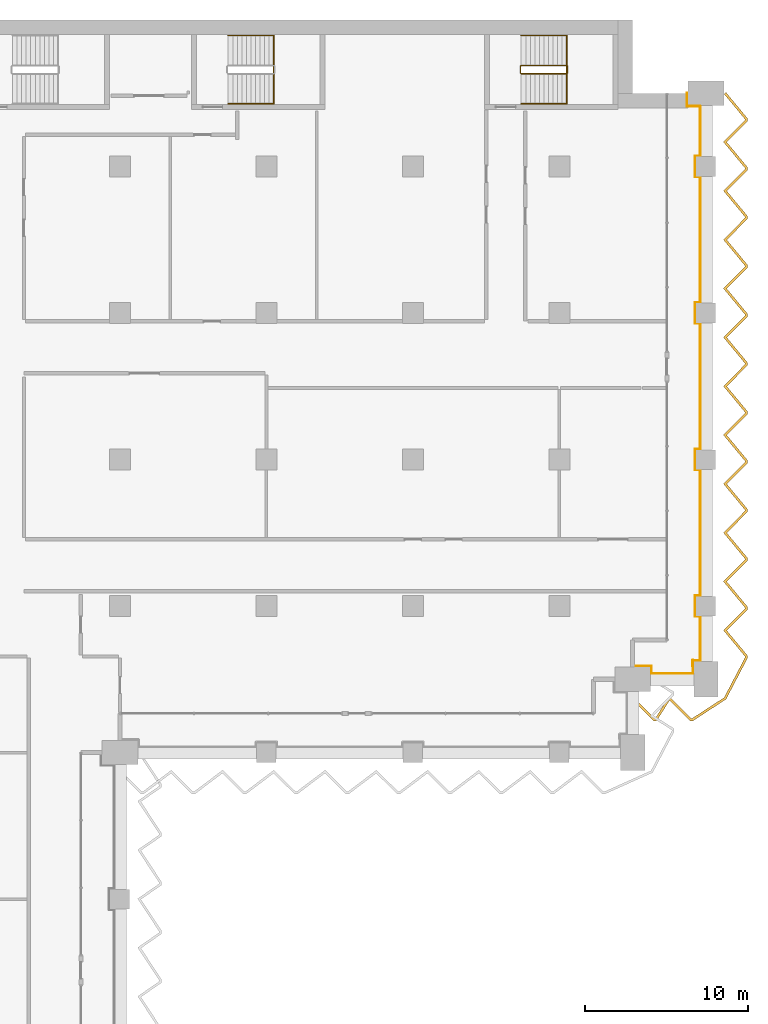
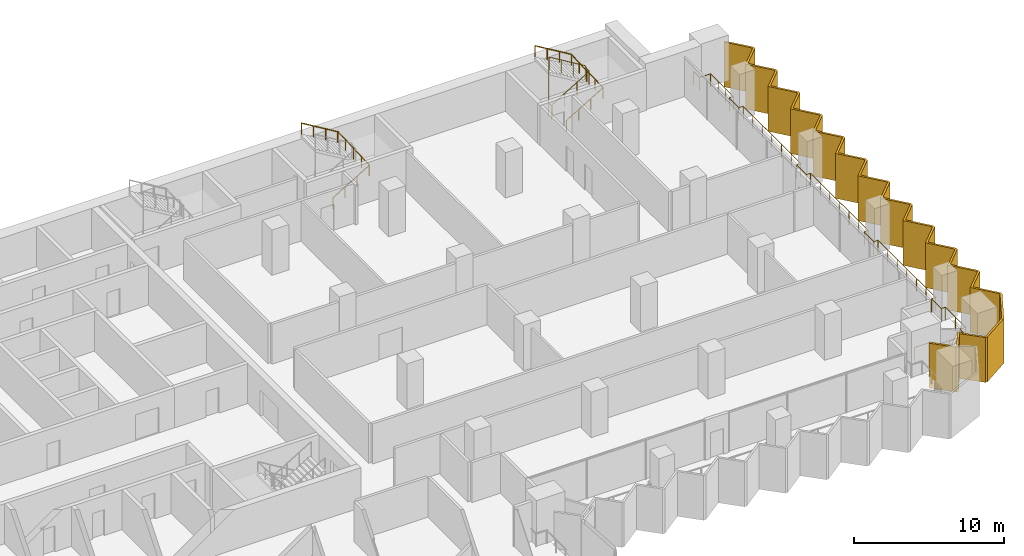
# One storey, part 23 of 23: 4 railings, 1 shading device.
"""IFC4 building model written with IfcOpenShell, lengths in metres."""

from ifc_helpers import new_model, si_unit, direction, frame, origin, origin_2d, place, context, subcontext, project, spatial, polyline, circle, outline, extrude, material, layer, layer_set, type_object, element, save


model = new_model("IFC4")

# Units and contexts
model_context = context("Model", 3, precision=1e-05, world=origin(), true_north=direction((0.0, 1.0)))
body_context = subcontext(model_context, "Body", "Model", "MODEL_VIEW")
ifc_project = project(units=[si_unit("LENGTHUNIT", "METRE"), si_unit("AREAUNIT", "SQUARE_METRE"), si_unit("VOLUMEUNIT", "CUBIC_METRE"), si_unit("PLANEANGLEUNIT", "RADIAN"), si_unit("MASSUNIT", "GRAM", prefix="KILO")], contexts=[model_context])

# Site, building, storey
site_placement = place(None, origin())
site = spatial("IfcSite", under=ifc_project, at=site_placement, CompositionType="ELEMENT")
building_placement = place(site_placement, origin())
building = spatial("IfcBuilding", under=site, at=building_placement, Name="Hunhe Ridgeline Campus", CompositionType="ELEMENT")
storey_placement = place(building_placement, frame((0.0, 0.0, 125.5)))
storey = spatial("IfcBuildingStorey", under=building, at=storey_placement, Name="L31", CompositionType="ELEMENT", Elevation=125.5)

# Railing
ifc_material_1 = material(Name="Steel Q355", Category="steel")
railing_type_1 = type_object("IfcRailingType", Name="Loggia guard 1100 Steel Q355", PredefinedType="GUARDRAIL", material=ifc_material_1)
railing_1_placement = place(storey_placement, frame((76.5, 59.320068359375, 0.0)))
element("IfcRailing", 1, at=railing_1_placement, inside=storey, type_object=railing_type_1, Name="Loggia guard 3", PredefinedType="GUARDRAIL", context=body_context, shape_type="SweptSolid", body=[
    extrude(circle(Radius=0.02392578125, at=origin_2d()), frame((0.0, 0.0, 1.076171875), z_axis=(1.0, 0.0, 0.0), x_axis=(0.0, 1.0, 0.0)), (0.0, 0.0, 1.0), 1.14990234375),
    extrude(circle(Radius=0.02392578125, at=origin_2d()), frame((1.14990234375, 0.0, 1.076171875), z_axis=(0.0, -1.0, 0.0), x_axis=(1.0, 0.0, 0.0)), (0.0, 0.0, 1.0), 0.469970703125),
    extrude(circle(Radius=0.02392578125, at=origin_2d()), frame((1.14990234375, -0.469970703125, 1.076171875), z_axis=(1.0, 0.0, 0.0), x_axis=(0.0, 1.0, 0.0)), (0.0, 0.0, 1.0), 2.550048828125),
    extrude(circle(Radius=0.02392578125, at=origin_2d()), frame((3.699951171875, -0.469970703125, 1.076171875), z_axis=(0.0, 1.0, 0.0), x_axis=(-1.0, 0.0, 0.0)), (0.0, 0.0, 1.0), 0.81982421875),
    extrude(circle(Radius=0.02392578125, at=origin_2d()), frame((3.699951171875, 0.349853515625, 1.076171875), z_axis=(-0.057129153726, -0.99836679622, 0.0), x_axis=(0.99836679622, -0.057129153726, 0.0)), (0.0, 0.0, 1.0), 0.350341796875),
    extrude(circle(Radius=0.02392578125, at=origin_2d()), frame((3.679931640625, 0.0, 1.076171875), z_axis=(0.0, 1.0, 0.0), x_axis=(-1.0, 0.0, 0.0)), (0.0, 0.0, 1.0), 0.329833984375),
    extrude(circle(Radius=0.02392578125, at=origin_2d()), frame((3.679931640625, 0.329833984375, 1.076171875), z_axis=(1.0, 0.0, 0.0), x_axis=(0.0, 1.0, 0.0)), (0.0, 0.0, 1.0), 0.469970703125),
    extrude(circle(Radius=0.02392578125, at=origin_2d()), frame((4.14990234375, 0.329833984375, 1.076171875), z_axis=(0.0, 1.0, 0.0), x_axis=(-1.0, 0.0, 0.0)), (0.0, 0.0, 1.0), 2.7001953125),
    extrude(circle(Radius=0.02392578125, at=origin_2d()), frame((4.14990234375, 3.030029296875, 1.076171875), z_axis=(-1.0, 0.0, 0.0), x_axis=(0.0, -1.0, 0.0)), (0.0, 0.0, 1.0), 0.31982421875),
    extrude(circle(Radius=0.02392578125, at=origin_2d()), frame((3.830078125, 3.030029296875, 1.076171875), z_axis=(0.0, 1.0, 0.0), x_axis=(-1.0, 0.0, 0.0)), (0.0, 0.0, 1.0), 1.2998046875),
    extrude(circle(Radius=0.02392578125, at=origin_2d()), frame((3.830078125, 4.329833984375, 1.076171875), z_axis=(1.0, 0.0, 0.0), x_axis=(0.0, 1.0, 0.0)), (0.0, 0.0, 1.0), 0.31982421875),
    extrude(circle(Radius=0.02392578125, at=origin_2d()), frame((4.14990234375, 4.329833984375, 1.076171875), z_axis=(0.0, 1.0, 0.0), x_axis=(-1.0, 0.0, 0.0)), (0.0, 0.0, 1.0), 7.7001953125),
    extrude(circle(Radius=0.02392578125, at=origin_2d()), frame((4.14990234375, 12.030029296875, 1.076171875), z_axis=(-1.0, 0.0, 0.0), x_axis=(0.0, -1.0, 0.0)), (0.0, 0.0, 1.0), 0.31982421875),
    extrude(circle(Radius=0.02392578125, at=origin_2d()), frame((3.830078125, 12.030029296875, 1.076171875), z_axis=(0.0, 1.0, 0.0), x_axis=(-1.0, 0.0, 0.0)), (0.0, 0.0, 1.0), 1.2998046875),
    extrude(circle(Radius=0.02392578125, at=origin_2d()), frame((3.830078125, 13.329833984375, 1.076171875), z_axis=(1.0, 0.0, 0.0), x_axis=(0.0, 1.0, 0.0)), (0.0, 0.0, 1.0), 0.31982421875),
    extrude(circle(Radius=0.02392578125, at=origin_2d()), frame((4.14990234375, 13.329833984375, 1.076171875), z_axis=(0.0, 1.0, 0.0), x_axis=(-1.0, 0.0, 0.0)), (0.0, 0.0, 1.0), 7.7001953125),
    extrude(circle(Radius=0.02392578125, at=origin_2d()), frame((4.14990234375, 21.030029296875, 1.076171875), z_axis=(-1.0, 0.0, 0.0), x_axis=(0.0, -1.0, 0.0)), (0.0, 0.0, 1.0), 0.31982421875),
    extrude(circle(Radius=0.02392578125, at=origin_2d()), frame((3.830078125, 21.030029296875, 1.076171875), z_axis=(0.0, 1.0, 0.0), x_axis=(-1.0, 0.0, 0.0)), (0.0, 0.0, 1.0), 1.2998046875),
    extrude(circle(Radius=0.02392578125, at=origin_2d()), frame((3.830078125, 22.329833984375, 1.076171875), z_axis=(1.0, 0.0, 0.0), x_axis=(0.0, 1.0, 0.0)), (0.0, 0.0, 1.0), 0.31982421875),
    extrude(circle(Radius=0.02392578125, at=origin_2d()), frame((4.14990234375, 22.329833984375, 1.076171875), z_axis=(0.0, 1.0, 0.0), x_axis=(-1.0, 0.0, 0.0)), (0.0, 0.0, 1.0), 7.7001953125),
    extrude(circle(Radius=0.02392578125, at=origin_2d()), frame((4.14990234375, 30.030029296875, 1.076171875), z_axis=(-1.0, 0.0, 0.0), x_axis=(0.0, -1.0, 0.0)), (0.0, 0.0, 1.0), 0.31982421875),
    extrude(circle(Radius=0.02392578125, at=origin_2d()), frame((3.830078125, 30.030029296875, 1.076171875), z_axis=(0.0, 1.0, 0.0), x_axis=(-1.0, 0.0, 0.0)), (0.0, 0.0, 1.0), 1.2998046875),
    extrude(circle(Radius=0.02392578125, at=origin_2d()), frame((3.830078125, 31.329833984375, 1.076171875), z_axis=(1.0, 0.0, 0.0), x_axis=(0.0, 1.0, 0.0)), (0.0, 0.0, 1.0), 0.31982421875),
    extrude(circle(Radius=0.02392578125, at=origin_2d()), frame((4.14990234375, 31.329833984375, 1.076171875), z_axis=(0.0, 1.0, 0.0), x_axis=(-1.0, 0.0, 0.0)), (0.0, 0.0, 1.0), 3.050048828125),
    extrude(circle(Radius=0.02392578125, at=origin_2d()), frame((4.14990234375, 34.3798828125, 1.076171875), z_axis=(-1.0, 0.0, 0.0), x_axis=(0.0, -1.0, 0.0)), (0.0, 0.0, 1.0), 0.81982421875),
    extrude(circle(Radius=0.02392578125, at=origin_2d()), frame((3.330078125, 34.3798828125, 1.076171875), z_axis=(0.0, 1.0, 0.0), x_axis=(-1.0, 0.0, 0.0)), (0.0, 0.0, 1.0), 0.800048828125),
    extrude(circle(Radius=0.02099609375, at=origin_2d()), origin(), (0.0, 0.0, 1.0), 1.052001953125),
    extrude(circle(Radius=0.02099609375, at=origin_2d()), frame((1.14990234375, 0.0, 0.0)), (0.0, 0.0, 1.0), 1.052001953125),
    extrude(circle(Radius=0.02099609375, at=origin_2d()), frame((1.14990234375, -0.469970703125, 0.0)), (0.0, 0.0, 1.0), 1.052001953125),
    extrude(circle(Radius=0.02099609375, at=origin_2d()), frame((2.4248046875, -0.469970703125, 0.0)), (0.0, 0.0, 1.0), 1.052001953125),
    extrude(circle(Radius=0.02099609375, at=origin_2d()), frame((3.699951171875, -0.469970703125, 0.0)), (0.0, 0.0, 1.0), 1.052001953125),
    extrude(circle(Radius=0.02099609375, at=origin_2d()), frame((3.699951171875, 0.349853515625, 0.0)), (0.0, 0.0, 1.0), 1.052001953125),
    extrude(circle(Radius=0.02099609375, at=origin_2d()), frame((3.679931640625, 0.0, 0.0)), (0.0, 0.0, 1.0), 1.052001953125),
    extrude(circle(Radius=0.02099609375, at=origin_2d()), frame((3.679931640625, 0.329833984375, 0.0)), (0.0, 0.0, 1.0), 1.052001953125),
    extrude(circle(Radius=0.02099609375, at=origin_2d()), frame((4.14990234375, 0.329833984375, 0.0)), (0.0, 0.0, 1.0), 1.052001953125),
    extrude(circle(Radius=0.02099609375, at=origin_2d()), frame((4.14990234375, 1.679931640625, 0.0)), (0.0, 0.0, 1.0), 1.052001953125),
    extrude(circle(Radius=0.02099609375, at=origin_2d()), frame((4.14990234375, 3.030029296875, 0.0)), (0.0, 0.0, 1.0), 1.052001953125),
    extrude(circle(Radius=0.02099609375, at=origin_2d()), frame((3.830078125, 3.030029296875, 0.0)), (0.0, 0.0, 1.0), 1.052001953125),
    extrude(circle(Radius=0.02099609375, at=origin_2d()), frame((3.830078125, 4.329833984375, 0.0)), (0.0, 0.0, 1.0), 1.052001953125),
    extrude(circle(Radius=0.02099609375, at=origin_2d()), frame((4.14990234375, 4.329833984375, 0.0)), (0.0, 0.0, 1.0), 1.052001953125),
    extrude(circle(Radius=0.02099609375, at=origin_2d()), frame((4.14990234375, 5.61328125, 0.0)), (0.0, 0.0, 1.0), 1.052001953125),
    extrude(circle(Radius=0.02099609375, at=origin_2d()), frame((4.14990234375, 6.896484375, 0.0)), (0.0, 0.0, 1.0), 1.052001953125),
    extrude(circle(Radius=0.02099609375, at=origin_2d()), frame((4.14990234375, 8.179931640625, 0.0)), (0.0, 0.0, 1.0), 1.052001953125),
    extrude(circle(Radius=0.02099609375, at=origin_2d()), frame((4.14990234375, 9.46337890625, 0.0)), (0.0, 0.0, 1.0), 1.052001953125),
    extrude(circle(Radius=0.02099609375, at=origin_2d()), frame((4.14990234375, 10.74658203125, 0.0)), (0.0, 0.0, 1.0), 1.052001953125),
    extrude(circle(Radius=0.02099609375, at=origin_2d()), frame((4.14990234375, 12.030029296875, 0.0)), (0.0, 0.0, 1.0), 1.052001953125),
    extrude(circle(Radius=0.02099609375, at=origin_2d()), frame((3.830078125, 12.030029296875, 0.0)), (0.0, 0.0, 1.0), 1.052001953125),
    extrude(circle(Radius=0.02099609375, at=origin_2d()), frame((3.830078125, 13.329833984375, 0.0)), (0.0, 0.0, 1.0), 1.052001953125),
    extrude(circle(Radius=0.02099609375, at=origin_2d()), frame((4.14990234375, 13.329833984375, 0.0)), (0.0, 0.0, 1.0), 1.052001953125),
    extrude(circle(Radius=0.02099609375, at=origin_2d()), frame((4.14990234375, 14.61328125, 0.0)), (0.0, 0.0, 1.0), 1.052001953125),
    extrude(circle(Radius=0.02099609375, at=origin_2d()), frame((4.14990234375, 15.896484375, 0.0)), (0.0, 0.0, 1.0), 1.052001953125),
    extrude(circle(Radius=0.02099609375, at=origin_2d()), frame((4.14990234375, 17.179931640625, 0.0)), (0.0, 0.0, 1.0), 1.052001953125),
    extrude(circle(Radius=0.02099609375, at=origin_2d()), frame((4.14990234375, 18.46337890625, 0.0)), (0.0, 0.0, 1.0), 1.052001953125),
    extrude(circle(Radius=0.02099609375, at=origin_2d()), frame((4.14990234375, 19.74658203125, 0.0)), (0.0, 0.0, 1.0), 1.052001953125),
    extrude(circle(Radius=0.02099609375, at=origin_2d()), frame((4.14990234375, 21.030029296875, 0.0)), (0.0, 0.0, 1.0), 1.052001953125),
    extrude(circle(Radius=0.02099609375, at=origin_2d()), frame((3.830078125, 21.030029296875, 0.0)), (0.0, 0.0, 1.0), 1.052001953125),
    extrude(circle(Radius=0.02099609375, at=origin_2d()), frame((3.830078125, 22.329833984375, 0.0)), (0.0, 0.0, 1.0), 1.052001953125),
    extrude(circle(Radius=0.02099609375, at=origin_2d()), frame((4.14990234375, 22.329833984375, 0.0)), (0.0, 0.0, 1.0), 1.052001953125),
    extrude(circle(Radius=0.02099609375, at=origin_2d()), frame((4.14990234375, 23.61328125, 0.0)), (0.0, 0.0, 1.0), 1.052001953125),
    extrude(circle(Radius=0.02099609375, at=origin_2d()), frame((4.14990234375, 24.896484375, 0.0)), (0.0, 0.0, 1.0), 1.052001953125),
    extrude(circle(Radius=0.02099609375, at=origin_2d()), frame((4.14990234375, 26.179931640625, 0.0)), (0.0, 0.0, 1.0), 1.052001953125),
    extrude(circle(Radius=0.02099609375, at=origin_2d()), frame((4.14990234375, 27.46337890625, 0.0)), (0.0, 0.0, 1.0), 1.052001953125),
    extrude(circle(Radius=0.02099609375, at=origin_2d()), frame((4.14990234375, 28.74658203125, 0.0)), (0.0, 0.0, 1.0), 1.052001953125),
    extrude(circle(Radius=0.02099609375, at=origin_2d()), frame((4.14990234375, 30.030029296875, 0.0)), (0.0, 0.0, 1.0), 1.052001953125),
    extrude(circle(Radius=0.02099609375, at=origin_2d()), frame((3.830078125, 30.030029296875, 0.0)), (0.0, 0.0, 1.0), 1.052001953125),
    extrude(circle(Radius=0.02099609375, at=origin_2d()), frame((3.830078125, 31.329833984375, 0.0)), (0.0, 0.0, 1.0), 1.052001953125),
    extrude(circle(Radius=0.02099609375, at=origin_2d()), frame((4.14990234375, 31.329833984375, 0.0)), (0.0, 0.0, 1.0), 1.052001953125),
    extrude(circle(Radius=0.02099609375, at=origin_2d()), frame((4.14990234375, 32.346435546875, 0.0)), (0.0, 0.0, 1.0), 1.052001953125),
    extrude(circle(Radius=0.02099609375, at=origin_2d()), frame((4.14990234375, 33.36328125, 0.0)), (0.0, 0.0, 1.0), 1.052001953125),
    extrude(circle(Radius=0.02099609375, at=origin_2d()), frame((4.14990234375, 34.3798828125, 0.0)), (0.0, 0.0, 1.0), 1.052001953125),
    extrude(circle(Radius=0.02099609375, at=origin_2d()), frame((3.330078125, 34.3798828125, 0.0)), (0.0, 0.0, 1.0), 1.052001953125),
    extrude(circle(Radius=0.02099609375, at=origin_2d()), frame((3.330078125, 35.179931640625, 0.0)), (0.0, 0.0, 1.0), 1.052001953125),
])

# Shading device
ifc_material_2 = material(Name="Concrete C50", Category="concrete")
ifc_layer = layer(ifc_material_2, 0.14990234375)
ifc_layer_set = layer_set([ifc_layer], Name="Sawtooth concrete fin 150 Concrete C50")
shading_device_type = type_object("IfcShadingDeviceType", Name="Sawtooth concrete fin 150 Concrete C50", PredefinedType="USERDEFINED", material=ifc_layer_set)
shading_device_placement = place(storey_placement, frame((0.0, 0.0, -0.949951171875)))
element("IfcShadingDevice", 2, at=shading_device_placement, inside=storey, type_object=shading_device_type, Name="Concrete fin screen 3", ObjectType="FIN", PredefinedType="USERDEFINED", context=body_context, shape_type="SweptSolid", body=[
    extrude(outline(polyline([(76.552734375, 57.378173828125), (76.447265625, 57.271728515625), (77.779296875, 55.949951171875), (77.9716796875, 55.949951171875), (78.763671875, 57.205810546875), (80.029296875, 55.949951171875), (80.20263671875, 55.949951171875), (82.232421875, 57.27294921875), (83.550048828125, 59.791748046875), (83.550048828125, 59.957275390625), (82.276123046875, 61.495361328125), (83.550048828125, 62.779296875), (83.550048828125, 62.957275390625), (82.276123046875, 64.495361328125), (83.550048828125, 65.779296875), (83.550048828125, 65.957275390625), (82.276123046875, 67.495361328125), (83.550048828125, 68.779296875), (83.550048828125, 68.957275390625), (82.276123046875, 70.495361328125), (83.550048828125, 71.779296875), (83.550048828125, 71.957275390625), (82.276123046875, 73.495361328125), (83.550048828125, 74.779296875), (83.550048828125, 74.957275390625), (82.276123046875, 76.495361328125), (83.550048828125, 77.779296875), (83.550048828125, 77.957275390625), (82.276123046875, 79.495361328125), (83.550048828125, 80.779296875), (83.550048828125, 80.957275390625), (82.276123046875, 82.495361328125), (83.550048828125, 83.779296875), (83.550048828125, 83.957275390625), (82.276123046875, 85.495361328125), (83.550048828125, 86.779296875), (83.550048828125, 86.957275390625), (82.276123046875, 88.495361328125), (83.550048828125, 89.779296875), (83.550048828125, 89.957275390625), (82.276123046875, 91.495361328125), (83.550048828125, 92.779296875), (83.550048828125, 92.957275390625), (82.232666015625, 94.5478515625), (82.1171875, 94.4521484375), (83.39990234375, 92.9033203125), (83.39990234375, 92.841064453125), (82.073974609375, 91.504638671875), (83.39990234375, 89.9033203125), (83.39990234375, 89.841064453125), (82.073974609375, 88.504638671875), (83.39990234375, 86.9033203125), (83.39990234375, 86.841064453125), (82.073974609375, 85.504638671875), (83.39990234375, 83.9033203125), (83.39990234375, 83.841064453125), (82.073974609375, 82.504638671875), (83.39990234375, 80.9033203125), (83.39990234375, 80.841064453125), (82.073974609375, 79.504638671875), (83.39990234375, 77.9033203125), (83.39990234375, 77.841064453125), (82.073974609375, 76.504638671875), (83.39990234375, 74.9033203125), (83.39990234375, 74.841064453125), (82.073974609375, 73.504638671875), (83.39990234375, 71.9033203125), (83.39990234375, 71.841064453125), (82.073974609375, 70.504638671875), (83.39990234375, 68.9033203125), (83.39990234375, 68.841064453125), (82.073974609375, 67.504638671875), (83.39990234375, 65.9033203125), (83.39990234375, 65.841064453125), (82.073974609375, 64.504638671875), (83.39990234375, 62.9033203125), (83.39990234375, 62.841064453125), (82.073974609375, 61.504638671875), (83.39990234375, 59.9033203125), (83.39990234375, 59.82861328125), (82.11767578125, 57.377197265625), (80.157958984375, 56.10009765625), (80.091064453125, 56.10009765625), (78.736328125, 57.444091796875), (77.888916015625, 56.10009765625), (77.841064453125, 56.10009765625), (76.552734375, 57.378173828125)])), origin(), (0.0, 0.0, 1.0), 3.64990234375),
])

# Railings
ifc_material_3 = material(Name="Stainless steel balustrade", Category="steel")
railing_type_2 = type_object("IfcRailingType", Name="Stair guard 1100 stainless", PredefinedType="GUARDRAIL", material=ifc_material_3)
railing_2_placement = place(storey_placement, frame((69.64990234375, 95.699951171875, 0.168212890625)))
element("IfcRailing", 3, at=railing_2_placement, inside=storey, type_object=railing_type_2, Name="L31 stair E3 guard", PredefinedType="GUARDRAIL", context=body_context, shape_type="SweptSolid", body=[
    extrude(circle(Radius=0.02392578125, at=origin_2d()), frame((0.0, 0.0, 1.076171875), z_axis=(0.857242210791, 0.0, 0.514913383045), x_axis=(0.0, 1.0, 0.0)), (0.0, 0.0, 1.0), 3.266357421875),
    extrude(circle(Radius=0.02392578125, at=origin_2d()), frame((2.800048828125, 0.0, 2.7578125), z_axis=(0.707106781187, 0.707106781187, 0.0), x_axis=(-0.707106781187, 0.707106781187, 0.0)), (0.0, 0.0, 1.0), 0.07080078125),
    extrude(circle(Radius=0.02392578125, at=origin_2d()), frame((2.85009765625, 0.050048828125, 2.7578125), z_axis=(0.0, 1.0, 0.0), x_axis=(-1.0, 0.0, 0.0)), (0.0, 0.0, 1.0), 0.39990234375),
    extrude(circle(Radius=0.02392578125, at=origin_2d()), frame((2.85009765625, 0.449951171875, 2.7578125), z_axis=(-0.274582412415, 0.274582412415, 0.921525364591), x_axis=(-0.707106781187, -0.707106781187, 0.0)), (0.0, 0.0, 1.0), 0.182373046875),
    extrude(circle(Radius=0.02392578125, at=origin_2d()), frame((2.800048828125, 0.5, 2.92578125), z_axis=(-0.857242210791, 0.0, 0.514913383045), x_axis=(0.0, -1.0, 0.0)), (0.0, 0.0, 1.0), 3.266357421875),
    extrude(circle(Radius=0.02392578125, at=origin_2d()), frame((0.0, 0.5, 4.60791015625), z_axis=(-0.013458453615, -0.013524426427, -0.999817963389), x_axis=(0.708833529934, -0.705375805398, 0.0)), (0.0, 0.0, 1.0), 3.70068359375),
    extrude(circle(Radius=0.02392578125, at=origin_2d()), frame((-0.0498046875, 0.449951171875, 0.90771484375), z_axis=(0.0, -1.0, 0.0), x_axis=(1.0, 0.0, 0.0)), (0.0, 0.0, 1.0), 0.39990234375),
    extrude(circle(Radius=0.02099609375, at=origin_2d()), origin(), (0.0, 0.0, 1.0), 1.052001953125),
    extrude(circle(Radius=0.02099609375, at=origin_2d()), frame((0.933349609375, 0.0, 0.560546875)), (0.0, 0.0, 1.0), 1.052001953125),
    extrude(circle(Radius=0.02099609375, at=origin_2d()), frame((1.86669921875, 0.0, 1.121337890625)), (0.0, 0.0, 1.0), 1.052001953125),
    extrude(circle(Radius=0.02099609375, at=origin_2d()), frame((2.800048828125, 0.0, 1.681884765625)), (0.0, 0.0, 1.0), 1.052001953125),
    extrude(circle(Radius=0.02099609375, at=origin_2d()), frame((2.85009765625, 0.050048828125, 1.681884765625)), (0.0, 0.0, 1.0), 1.052001953125),
    extrude(circle(Radius=0.02099609375, at=origin_2d()), frame((2.85009765625, 0.449951171875, 1.681884765625)), (0.0, 0.0, 1.0), 1.052001953125),
    extrude(circle(Radius=0.02099609375, at=origin_2d()), frame((2.800048828125, 0.5, 1.849853515625)), (0.0, 0.0, 1.0), 1.052001953125),
    extrude(circle(Radius=0.02099609375, at=origin_2d()), frame((1.86669921875, 0.5, 2.410400390625)), (0.0, 0.0, 1.0), 1.052001953125),
    extrude(circle(Radius=0.02099609375, at=origin_2d()), frame((0.933349609375, 0.5, 2.97119140625)), (0.0, 0.0, 1.0), 1.052001953125),
    extrude(circle(Radius=0.02099609375, at=origin_2d()), frame((0.0, 0.5, 3.53173828125)), (0.0, 0.0, 1.0), 1.052001953125),
    extrude(circle(Radius=0.02099609375, at=origin_2d()), frame((-0.012451171875, 0.487548828125, 2.606689453125)), (0.0, 0.0, 1.0), 1.052001953125),
    extrude(circle(Radius=0.02099609375, at=origin_2d()), frame((-0.02490234375, 0.47509765625, 1.681640625)), (0.0, 0.0, 1.0), 1.052001953125),
    extrude(circle(Radius=0.02099609375, at=origin_2d()), frame((-0.037353515625, 0.46240234375, 0.7568359375)), (0.0, 0.0, 1.0), 1.052001953125),
    extrude(circle(Radius=0.02099609375, at=origin_2d()), frame((-0.0498046875, 0.449951171875, -0.168212890625)), (0.0, 0.0, 1.0), 1.052001953125),
    extrude(circle(Radius=0.02099609375, at=origin_2d()), frame((-0.0498046875, 0.050048828125, -0.168212890625)), (0.0, 0.0, 1.0), 1.052001953125),
])
ifc_material_4 = material(Name="Stainless steel handrail", Category="steel")
railing_type_3 = type_object("IfcRailingType", Name="Stair handrail 900 stainless", PredefinedType="HANDRAIL", material=ifc_material_4)
railing_3_placement = place(storey_placement, frame((51.64990234375, 93.85009765625, 0.168212890625)))
element("IfcRailing", 4, at=railing_3_placement, inside=storey, type_object=railing_type_3, Name="L31 stair E2 handrail", PredefinedType="HANDRAIL", context=body_context, shape_type="SweptSolid", body=[
    extrude(circle(Radius=0.02392578125, at=origin_2d()), frame((0.0, 0.0, 0.8759765625), z_axis=(0.857242210791, 0.0, 0.514913383045), x_axis=(0.0, 1.0, 0.0)), (0.0, 0.0, 1.0), 3.266357421875),
    extrude(circle(Radius=0.02392578125, at=origin_2d()), frame((2.800048828125, 0.0, 2.5576171875), z_axis=(0.0, 0.99920123705, 0.039961079526), x_axis=(-1.0, 0.0, 0.0)), (0.0, 0.0, 1.0), 4.203369140625),
    extrude(circle(Radius=0.02392578125, at=origin_2d()), frame((2.800048828125, 4.199951171875, 2.7255859375), z_axis=(-0.857242210791, 0.0, 0.514913383045), x_axis=(0.0, -1.0, 0.0)), (0.0, 0.0, 1.0), 3.266357421875),
    extrude(circle(Radius=0.02099609375, at=origin_2d()), origin(), (0.0, 0.0, 1.0), 0.851806640625),
    extrude(circle(Radius=0.02099609375, at=origin_2d()), frame((0.933349609375, 0.0, 0.560546875)), (0.0, 0.0, 1.0), 0.851806640625),
    extrude(circle(Radius=0.02099609375, at=origin_2d()), frame((1.86669921875, 0.0, 1.121337890625)), (0.0, 0.0, 1.0), 0.851806640625),
    extrude(circle(Radius=0.02099609375, at=origin_2d()), frame((2.800048828125, 0.0, 1.681884765625)), (0.0, 0.0, 1.0), 0.851806640625),
    extrude(circle(Radius=0.02099609375, at=origin_2d()), frame((2.800048828125, 1.050048828125, 1.723876953125)), (0.0, 0.0, 1.0), 0.851806640625),
    extrude(circle(Radius=0.02099609375, at=origin_2d()), frame((2.800048828125, 2.10009765625, 1.765869140625)), (0.0, 0.0, 1.0), 0.851806640625),
    extrude(circle(Radius=0.02099609375, at=origin_2d()), frame((2.800048828125, 3.14990234375, 1.807861328125)), (0.0, 0.0, 1.0), 0.851806640625),
    extrude(circle(Radius=0.02099609375, at=origin_2d()), frame((2.800048828125, 4.199951171875, 1.849853515625)), (0.0, 0.0, 1.0), 0.851806640625),
    extrude(circle(Radius=0.02099609375, at=origin_2d()), frame((1.86669921875, 4.199951171875, 2.410400390625)), (0.0, 0.0, 1.0), 0.851806640625),
    extrude(circle(Radius=0.02099609375, at=origin_2d()), frame((0.933349609375, 4.199951171875, 2.97119140625)), (0.0, 0.0, 1.0), 0.851806640625),
    extrude(circle(Radius=0.02099609375, at=origin_2d()), frame((0.0, 4.199951171875, 3.53173828125)), (0.0, 0.0, 1.0), 0.851806640625),
])
railing_4_placement = place(storey_placement, frame((69.64990234375, 93.85009765625, 0.168212890625)))
element("IfcRailing", 5, at=railing_4_placement, inside=storey, type_object=railing_type_3, Name="L31 stair E3 handrail", PredefinedType="HANDRAIL", context=body_context, shape_type="SweptSolid", body=[
    extrude(circle(Radius=0.02392578125, at=origin_2d()), frame((0.0, 0.0, 0.8759765625), z_axis=(0.857242210791, 0.0, 0.514913383045), x_axis=(0.0, 1.0, 0.0)), (0.0, 0.0, 1.0), 3.266357421875),
    extrude(circle(Radius=0.02392578125, at=origin_2d()), frame((2.800048828125, 0.0, 2.5576171875), z_axis=(0.0, 0.99920123705, 0.039961079526), x_axis=(-1.0, 0.0, 0.0)), (0.0, 0.0, 1.0), 4.203369140625),
    extrude(circle(Radius=0.02392578125, at=origin_2d()), frame((2.800048828125, 4.199951171875, 2.7255859375), z_axis=(-0.857242210791, 0.0, 0.514913383045), x_axis=(0.0, -1.0, 0.0)), (0.0, 0.0, 1.0), 3.266357421875),
    extrude(circle(Radius=0.02099609375, at=origin_2d()), origin(), (0.0, 0.0, 1.0), 0.851806640625),
    extrude(circle(Radius=0.02099609375, at=origin_2d()), frame((0.933349609375, 0.0, 0.560546875)), (0.0, 0.0, 1.0), 0.851806640625),
    extrude(circle(Radius=0.02099609375, at=origin_2d()), frame((1.86669921875, 0.0, 1.121337890625)), (0.0, 0.0, 1.0), 0.851806640625),
    extrude(circle(Radius=0.02099609375, at=origin_2d()), frame((2.800048828125, 0.0, 1.681884765625)), (0.0, 0.0, 1.0), 0.851806640625),
    extrude(circle(Radius=0.02099609375, at=origin_2d()), frame((2.800048828125, 1.050048828125, 1.723876953125)), (0.0, 0.0, 1.0), 0.851806640625),
    extrude(circle(Radius=0.02099609375, at=origin_2d()), frame((2.800048828125, 2.10009765625, 1.765869140625)), (0.0, 0.0, 1.0), 0.851806640625),
    extrude(circle(Radius=0.02099609375, at=origin_2d()), frame((2.800048828125, 3.14990234375, 1.807861328125)), (0.0, 0.0, 1.0), 0.851806640625),
    extrude(circle(Radius=0.02099609375, at=origin_2d()), frame((2.800048828125, 4.199951171875, 1.849853515625)), (0.0, 0.0, 1.0), 0.851806640625),
    extrude(circle(Radius=0.02099609375, at=origin_2d()), frame((1.86669921875, 4.199951171875, 2.410400390625)), (0.0, 0.0, 1.0), 0.851806640625),
    extrude(circle(Radius=0.02099609375, at=origin_2d()), frame((0.933349609375, 4.199951171875, 2.97119140625)), (0.0, 0.0, 1.0), 0.851806640625),
    extrude(circle(Radius=0.02099609375, at=origin_2d()), frame((0.0, 4.199951171875, 3.53173828125)), (0.0, 0.0, 1.0), 0.851806640625),
])

save(model, "model.ifc")
